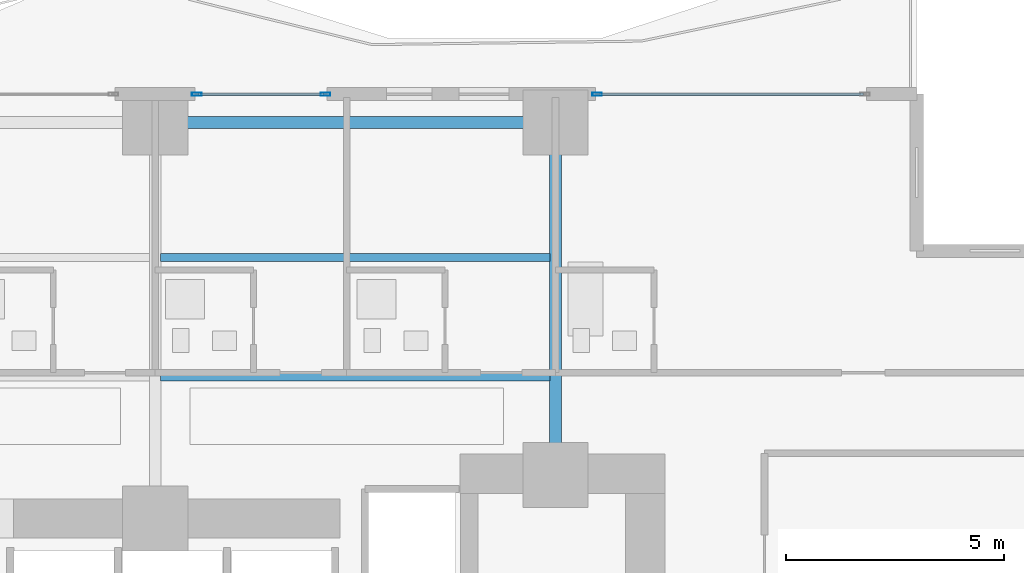
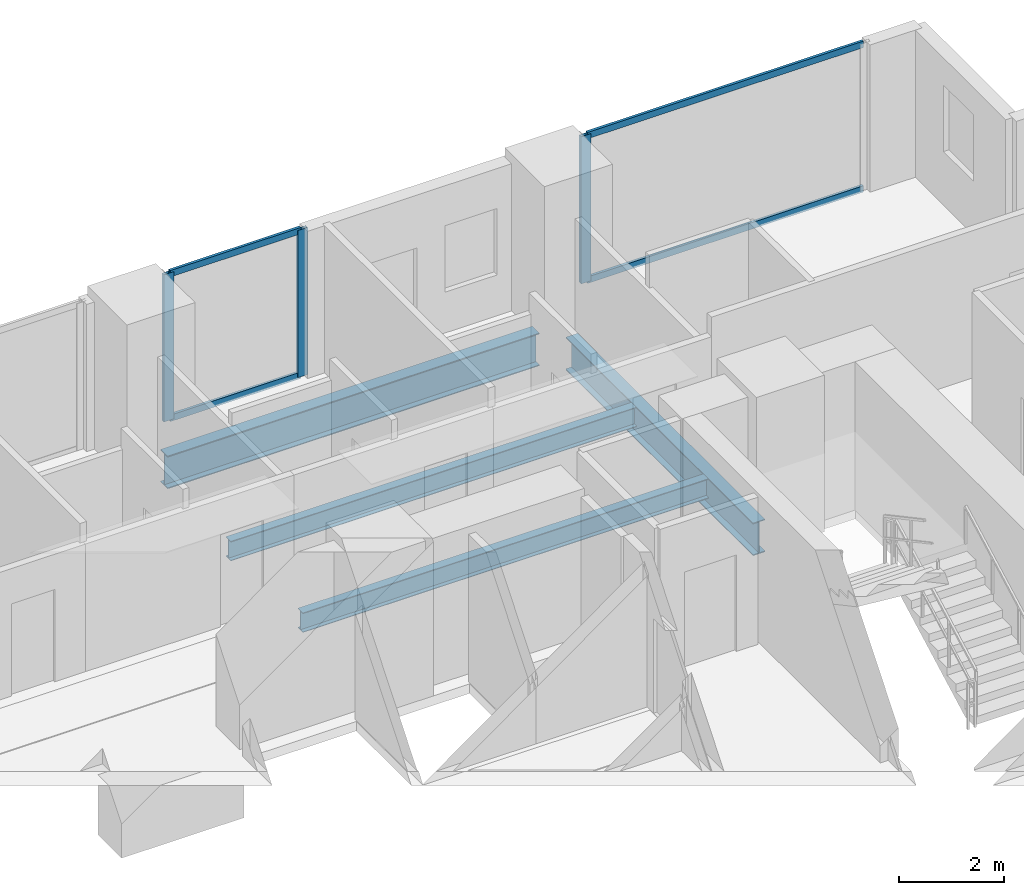
# One storey, part 16 of 29: 7 members, 4 beams, 2 elements without a shape of their own.
"""IFC4 building model written with IfcOpenShell, lengths in metres."""

from ifc_helpers import new_model, si_unit, direction, frame, origin, origin_2d, place, context, subcontext, project, spatial, hollow_rectangle, i_section, extrude, material, layer, layer_set, material_profile, profile_set, type_object, element, aggregate, save


model = new_model("IFC4")

# Units and contexts
model_context = context("Model", 3, precision=1e-05, world=origin(), true_north=direction((0.0, 1.0)))
body_context = subcontext(model_context, "Body", "Model", "MODEL_VIEW")
ifc_project = project(units=[si_unit("LENGTHUNIT", "METRE"), si_unit("AREAUNIT", "SQUARE_METRE"), si_unit("VOLUMEUNIT", "CUBIC_METRE"), si_unit("PLANEANGLEUNIT", "RADIAN"), si_unit("MASSUNIT", "GRAM", prefix="KILO")], contexts=[model_context])

# Site, building, storey
site_placement = place(None, origin())
site = spatial("IfcSite", under=ifc_project, at=site_placement, CompositionType="ELEMENT")
building_placement = place(site_placement, origin())
building = spatial("IfcBuilding", under=site, at=building_placement, Name="Zuhayl Quay Hotel", CompositionType="ELEMENT")
storey_placement = place(building_placement, frame((0.0, 0.0, 60.449951171875)))
storey = spatial("IfcBuildingStorey", under=building, at=storey_placement, Name="L14", CompositionType="ELEMENT", Elevation=60.449951171875)

# Beams
ifc_material_1 = material(Name="Steel ASTM A992 Grade 50", Category="steel")
ifc_material_profile_1 = material_profile(ifc_material_1, i_section(OverallWidth=0.26708984375, OverallDepth=0.761962890625, WebThickness=0.014404296875, FlangeThickness=0.021484375, at=origin_2d()), Name="W30X116")
ifc_profile_set_1 = profile_set([ifc_material_profile_1], Name="Steel ASTM A992 Grade 50")
beam_type_1 = type_object("IfcBeamType", Name="BM_B1_W30X116", PredefinedType="BEAM", material=ifc_profile_set_1)
beam_1_placement = place(storey_placement, frame((13.300048828125, 22.449951171875, -0.600830078125), z_axis=(-1.0, 0.0, 0.0), x_axis=(0.0, -1.0, 0.0)))
element("IfcBeam", 1, at=beam_1_placement, inside=storey, type_object=beam_type_1, Name="L14 Floor Beam RG_L14_07", PredefinedType="BEAM", context=body_context, shape_type="SweptSolid", body=[
    extrude(i_section(OverallWidth=0.26708984375, OverallDepth=0.761962890625, WebThickness=0.014404296875, FlangeThickness=0.021484375, at=origin_2d()), origin(), (0.0, 0.0, 1.0), 8.199951171875),
])
beam_2_placement = place(storey_placement, frame((13.800048828125, 14.800048828125, -0.600830078125), z_axis=(0.0, 1.0, 0.0), x_axis=(-1.0, 0.0, 0.0)))
element("IfcBeam", 2, at=beam_2_placement, inside=storey, type_object=beam_type_1, Name="L14 Floor Beam FG_N_L14_4", PredefinedType="BEAM", context=body_context, shape_type="SweptSolid", body=[
    extrude(i_section(OverallWidth=0.26708984375, OverallDepth=0.761962890625, WebThickness=0.014404296875, FlangeThickness=0.021484375, at=origin_2d()), origin(), (0.0, 0.0, 1.0), 7.14990234375),
])
ifc_material_profile_2 = material_profile(ifc_material_1, i_section(OverallWidth=0.18994140625, OverallDepth=0.45703125, WebThickness=0.009033203125, FlangeThickness=0.014404296875, at=origin_2d()), Name="W18X50")
ifc_profile_set_2 = profile_set([ifc_material_profile_2], Name="Steel ASTM A992 Grade 50")
beam_type_2 = type_object("IfcBeamType", Name="BM_J2_W18X50", PredefinedType="JOIST", material=ifc_profile_set_2)
for number, where, z_axis, x_axis, name in (
    (3, (4.7255859375, 16.60009765625, -0.448486328125), (1.0, 0.0, 0.0), (0.0, 1.0, 0.0), "L14 Floor Beam FJ_L14_1_3"),
    (4, (4.7255859375, 19.35009765625, -0.448486328125), (1.0, 0.0, 0.0), (0.0, 1.0, 0.0), "L14 Floor Beam FJ_L14_2_3"),
):
    element("IfcBeam", number, at=place(storey_placement, frame(where, z_axis=z_axis, x_axis=x_axis)), inside=storey, type_object=beam_type_2, Name=name, PredefinedType="JOIST", context=body_context, shape_type="SweptSolid", body=[
        extrude(i_section(OverallWidth=0.18994140625, OverallDepth=0.45703125, WebThickness=0.009033203125, FlangeThickness=0.014404296875, at=origin_2d()), origin(), (0.0, 0.0, 1.0), 8.948974609375),
    ])

# Curtain wall, members
ifc_material_2 = material(Name="Anodised Aluminium 6063-T6", Category="aluminium")
ifc_layer = layer(ifc_material_2, 0.18994140625, Name="Anodised Aluminium 6063-T6", Category="aluminium")
ifc_layer_set = layer_set([ifc_layer], Name="Anodised Aluminium 6063-T6")
curtain_wall_type = type_object("IfcCurtainWallType", Name="CW_SYS_Z1", PredefinedType="USERDEFINED", material=ifc_layer_set)
curtain_wall_1_placement = place(storey_placement, origin())
curtain_wall_1 = element("IfcCurtainWall", 5, at=curtain_wall_1_placement, inside=storey, type_object=curtain_wall_type, Name="L14 Curtain Wall ENV_L14_N_CW5", ObjectType="UNITISED CURTAIN WALL", PredefinedType="USERDEFINED")
ifc_material_3 = material(Name="Black-anodised aluminium 6063-T6", Category="aluminium")
ifc_material_profile_3 = material_profile(ifc_material_3, hollow_rectangle(XDim=0.074951171875, YDim=0.219970703125, WallThickness=0.00390625, at=origin_2d()), Name="ALU220X75")
ifc_profile_set_3 = profile_set([ifc_material_profile_3], Name="Black-anodised aluminium 6063-T6")
member_type_1 = type_object("IfcMemberType", Name="MB_CW_MUL_220", PredefinedType="MULLION", material=ifc_profile_set_3)
member_1_placement = place(storey_placement, frame((5.5576171875, 23.10009765625, 0.0), z_axis=(0.0, 0.0, 1.0), x_axis=(0.0, 1.0, 0.0)))
member_1 = element("IfcMember", 6, at=member_1_placement, type_object=member_type_1, Name="CW-Z1 mullion 1", PredefinedType="MULLION", context=body_context, shape_type="SweptSolid", body=[
    extrude(hollow_rectangle(XDim=0.074951171875, YDim=0.219970703125, WallThickness=0.00390625, at=origin_2d()), origin(), (0.0, 0.0, 1.0), 3.429931640625),
])
member_2_placement = place(storey_placement, frame((8.512451171875, 23.10009765625, 0.0), z_axis=(0.0, 0.0, 1.0), x_axis=(0.0, 1.0, 0.0)))
member_2 = element("IfcMember", 7, at=member_2_placement, type_object=member_type_1, Name="CW-Z1 mullion 2", PredefinedType="MULLION", context=body_context, shape_type="SweptSolid", body=[
    extrude(hollow_rectangle(XDim=0.074951171875, YDim=0.219970703125, WallThickness=0.00390625, at=origin_2d()), origin(), (0.0, 0.0, 1.0), 3.429931640625),
])

# Curtain wall, member
curtain_wall_2_placement = place(storey_placement, origin())
curtain_wall_2 = element("IfcCurtainWall", 8, at=curtain_wall_2_placement, inside=storey, type_object=curtain_wall_type, Name="L14 Curtain Wall ENV_L14_N_CW6", ObjectType="UNITISED CURTAIN WALL", PredefinedType="USERDEFINED")
member_3_placement = place(storey_placement, frame((14.757568359375, 23.10009765625, 0.0), z_axis=(0.0, 0.0, 1.0), x_axis=(0.0, 1.0, 0.0)))
member_3 = element("IfcMember", 9, at=member_3_placement, type_object=member_type_1, Name="CW-Z1 mullion 1", PredefinedType="MULLION", context=body_context, shape_type="SweptSolid", body=[
    extrude(hollow_rectangle(XDim=0.074951171875, YDim=0.219970703125, WallThickness=0.00390625, at=origin_2d()), origin(), (0.0, 0.0, 1.0), 3.429931640625),
])

# Member
ifc_material_profile_4 = material_profile(ifc_material_3, hollow_rectangle(XDim=0.06005859375, YDim=0.14990234375, WallThickness=0.00341796875, at=origin_2d()), Name="ALU150X60")
ifc_profile_set_4 = profile_set([ifc_material_profile_4], Name="Black-anodised aluminium 6063-T6")
member_type_2 = type_object("IfcMemberType", Name="MB_CW_TRN_150", PredefinedType="USERDEFINED", material=ifc_profile_set_4)
member_4_placement = place(storey_placement, frame((5.594970703125, 23.10009765625, 0.030029296875), z_axis=(1.0, 0.0, 0.0), x_axis=(0.0, 1.0, 0.0)))
member_4 = element("IfcMember", 10, at=member_4_placement, type_object=member_type_2, Name="CW-Z1 transom 1.1", ObjectType="TRANSOM", PredefinedType="USERDEFINED", context=body_context, shape_type="SweptSolid", body=[
    extrude(hollow_rectangle(XDim=0.06005859375, YDim=0.14990234375, WallThickness=0.00341796875, at=origin_2d()), origin(), (0.0, 0.0, 1.0), 2.880126953125),
])

member_5_placement = place(storey_placement, frame((5.594970703125, 23.10009765625, 3.400146484375), z_axis=(1.0, 0.0, 0.0), x_axis=(0.0, 1.0, 0.0)))
member_5 = element("IfcMember", 11, at=member_5_placement, type_object=member_type_2, Name="CW-Z1 transom 1.2", ObjectType="TRANSOM", PredefinedType="USERDEFINED", context=body_context, shape_type="SweptSolid", body=[
    extrude(hollow_rectangle(XDim=0.06005859375, YDim=0.14990234375, WallThickness=0.00341796875, at=origin_2d()), origin(), (0.0, 0.0, 1.0), 2.880126953125),
])

aggregate(curtain_wall_1, [member_1, member_2, member_4, member_5])

member_6_placement = place(storey_placement, frame((14.794921875, 23.10009765625, 0.030029296875), z_axis=(1.0, 0.0, 0.0), x_axis=(0.0, 1.0, 0.0)))
member_6 = element("IfcMember", 12, at=member_6_placement, type_object=member_type_2, Name="CW-Z1 transom 1.1", ObjectType="TRANSOM", PredefinedType="USERDEFINED", context=body_context, shape_type="SweptSolid", body=[
    extrude(hollow_rectangle(XDim=0.06005859375, YDim=0.14990234375, WallThickness=0.00341796875, at=origin_2d()), origin(), (0.0, 0.0, 1.0), 6.080078125),
])

member_7_placement = place(storey_placement, frame((14.794921875, 23.10009765625, 3.400146484375), z_axis=(1.0, 0.0, 0.0), x_axis=(0.0, 1.0, 0.0)))
member_7 = element("IfcMember", 13, at=member_7_placement, type_object=member_type_2, Name="CW-Z1 transom 1.2", ObjectType="TRANSOM", PredefinedType="USERDEFINED", context=body_context, shape_type="SweptSolid", body=[
    extrude(hollow_rectangle(XDim=0.06005859375, YDim=0.14990234375, WallThickness=0.00341796875, at=origin_2d()), origin(), (0.0, 0.0, 1.0), 6.080078125),
])

aggregate(curtain_wall_2, [member_3, member_6, member_7])

save(model, "model.ifc")
